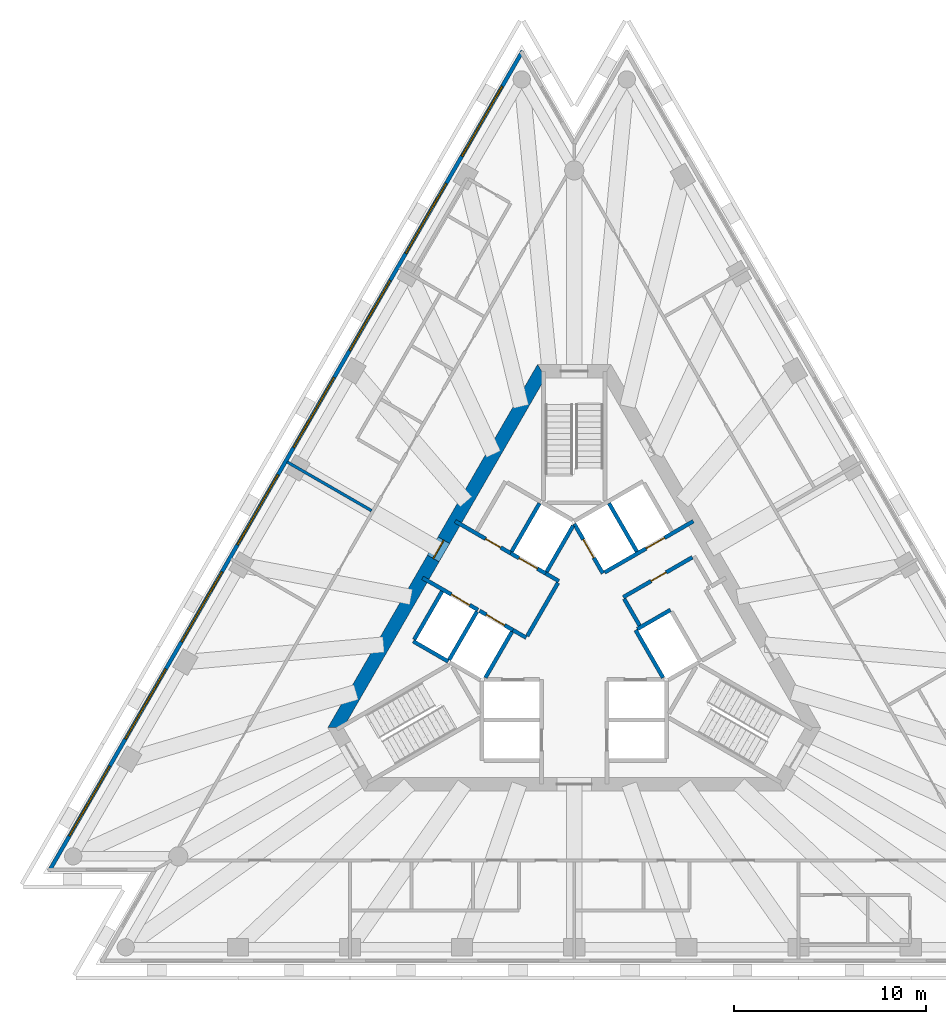
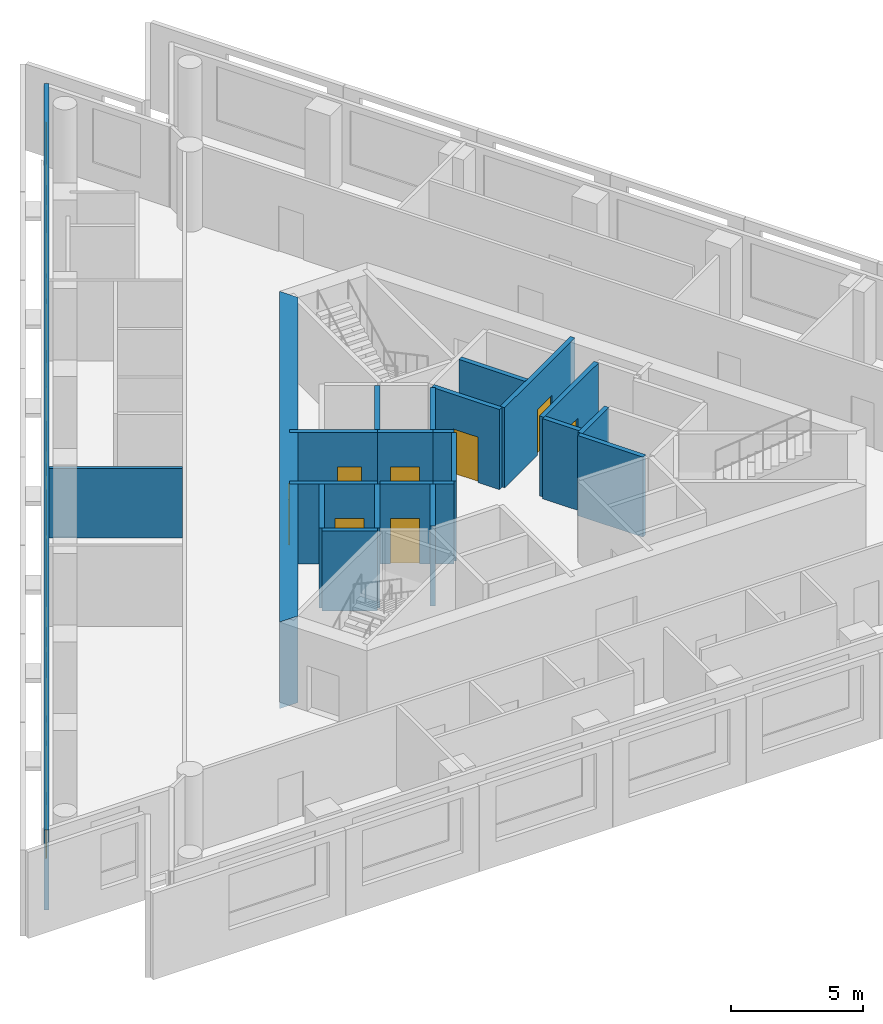
# One storey, part 4 of 10: 23 walls, 8 doors, 8 windows, 16 openings.
"""IFC4 building model written with IfcOpenShell, lengths in metres."""

from ifc_helpers import new_model, si_unit, direction, frame, frame_2d, origin, place, context, subcontext, project, spatial, polyline, rectangle, outline, extrude, material, layer, layer_set, layer_usage, type_object, element, fill, save


model = new_model("IFC4")

# Units and contexts
model_context = context("Model", 3, precision=1e-05, world=origin(), true_north=direction((0.0, 1.0)))
body_context = subcontext(model_context, "Body", "Model", "MODEL_VIEW")
ifc_project = project(units=[si_unit("LENGTHUNIT", "METRE"), si_unit("AREAUNIT", "SQUARE_METRE"), si_unit("VOLUMEUNIT", "CUBIC_METRE"), si_unit("PLANEANGLEUNIT", "RADIAN"), si_unit("MASSUNIT", "GRAM", prefix="KILO")], contexts=[model_context])

# Site, building, storey
site_placement = place(None, origin())
site = spatial("IfcSite", under=ifc_project, at=site_placement, CompositionType="ELEMENT")
building_placement = place(site_placement, origin())
building = spatial("IfcBuilding", under=site, at=building_placement, Name="Triada Interchange Tower", CompositionType="ELEMENT")
storey_placement = place(building_placement, frame((0.0, 0.0, 239.300048828125)))
storey = spatial("IfcBuildingStorey", under=building, at=storey_placement, Name="L56", CompositionType="ELEMENT", Elevation=239.300048828125)

# Walls
ifc_material_1 = material(Name="Concrete C30/37", Category="concrete")
ifc_layer_1 = layer(ifc_material_1, 0.199951171875)
ifc_layer_set_1 = layer_set([ifc_layer_1], Name="CORE WALL 200 EI 120")
wall_type_1 = type_object("IfcWallType", Name="CORE WALL 200 EI 120", PredefinedType="SOLIDWALL", material=ifc_layer_set_1)
wall_1_placement = place(storey_placement, frame((-8.3759765625, -0.70703125, 0.0), z_axis=(0.0, 0.0, 1.0), x_axis=(0.866067520717, -0.499927044236, 0.0)))
element("IfcWall", 1, at=wall_1_placement, inside=storey, type_object=wall_type_1, Name="Wall L56 41", PredefinedType="SOLIDWALL", context=body_context, shape_type="SweptSolid", body=[
    extrude(rectangle(XDim=2.100341796875, YDim=0.199951171875, at=frame_2d((1.05029296875, 0.0))), origin(), (0.0, 0.0, 1.0), 3.699951171875),
])
wall_2_placement = place(storey_placement, frame((-8.325927734375, -0.6201171875, 0.0), z_axis=(0.0, 0.0, 1.0), x_axis=(0.500023687443, 0.866011727401, 0.0)))
element("IfcWall", 2, at=wall_2_placement, inside=storey, type_object=wall_type_1, Name="Wall L56 42", PredefinedType="SOLIDWALL", context=body_context, shape_type="SweptSolid", body=[
    extrude(rectangle(XDim=2.899658203125, YDim=0.199951171875, at=frame_2d((1.44970703125, 0.0))), origin(), (0.0, 0.0, 1.0), 3.699951171875),
])

# Wall, opening, door
wall_3_placement = place(storey_placement, frame((0.0, 5.39990234375, 0.0), z_axis=(0.0, 0.0, 1.0), x_axis=(0.500103862429, -0.865965430478, 0.0)))
wall_3 = element("IfcWall", 3, at=wall_3_placement, inside=storey, type_object=wall_type_1, Name="Wall L56 52", PredefinedType="SOLIDWALL", context=body_context, shape_type="SweptSolid", body=[
    extrude(rectangle(XDim=2.973388671875, YDim=0.199951171875, at=frame_2d((1.48681640625, 0.0))), origin(), (0.0, 0.0, 1.0), 3.699951171875),
])
opening_1_placement = place(wall_3_placement, frame((0.93701171875, 0.0, 0.0)))
opening_1 = element("IfcOpeningElement", 4, at=opening_1_placement, cuts=wall_3, Name="Opening LD-HR5", PredefinedType="OPENING", context=body_context, shape_type="SweptSolid", body=[
    extrude(rectangle(XDim=1.10009765625, YDim=2.10009765625, at=frame_2d((0.550048828125, 1.050048828125))), frame((0.0, 0.10986328125, 0.0), z_axis=(0.0, -1.0, 0.0), x_axis=(1.0, 0.0, 0.0)), (0.0, 0.0, 1.0), 0.219970703125),
])
ifc_material_2 = material(Name="Steel S235 door leaf", Category="steel")
door_type_1 = type_object("IfcDoorType", Name="LIFT LANDING DOOR 1100 EI 120", OperationType="SLIDING_TO_LEFT", PredefinedType="DOOR", material=ifc_material_2)
door_1_placement = place(opening_1_placement, origin())
door_1 = element("IfcDoor", 5, at=door_1_placement, inside=storey, type_object=door_type_1, Name="HR5 landing door L56", OperationType="SLIDING_TO_LEFT", OverallHeight=2.10009765625, OverallWidth=1.10009765625, PredefinedType="DOOR", context=body_context, shape_type="SweptSolid", body=[
    extrude(rectangle(XDim=1.10009765625, YDim=2.10009765625, at=frame_2d((0.550048828125, 1.050048828125))), frame((0.0, 0.02490234375, 0.0), z_axis=(0.0, -1.0, 0.0), x_axis=(1.0, 0.0, 0.0)), (0.0, 0.0, 1.0), 0.050048828125),
])
fill(opening_1, door_1)

# Wall
wall_4_placement = place(storey_placement, frame((3.18994140625, -0.125, 0.0), z_axis=(0.0, 0.0, 1.0), x_axis=(0.499988658015, -0.866031951983, 0.0)))
element("IfcWall", 6, at=wall_4_placement, inside=storey, type_object=wall_type_1, Name="Wall L56 53", PredefinedType="SOLIDWALL", context=body_context, shape_type="SweptSolid", body=[
    extrude(rectangle(XDim=2.85791015625, YDim=0.199951171875, at=frame_2d((1.428955078125, 0.0))), origin(), (0.0, 0.0, 1.0), 3.699951171875),
])

# Wall, opening, door
wall_5_placement = place(storey_placement, frame((1.577880859375, 2.8740234375, 0.0), z_axis=(0.0, 0.0, 1.0), x_axis=(0.866045911672, 0.499964477614, 0.0)))
wall_5 = element("IfcWall", 7, at=wall_5_placement, inside=storey, type_object=wall_type_1, Name="Wall L56 54", PredefinedType="SOLIDWALL", context=body_context, shape_type="SweptSolid", body=[
    extrude(rectangle(XDim=5.32666015625, YDim=0.199951171875, at=frame_2d((2.663330078125, 0.0))), origin(), (0.0, 0.0, 1.0), 3.699951171875),
])
opening_2_placement = place(wall_5_placement, frame((2.49609375, 0.0, 0.0)))
opening_2 = element("IfcOpeningElement", 8, at=opening_2_placement, cuts=wall_5, Name="Opening LD-HR6", PredefinedType="OPENING", context=body_context, shape_type="SweptSolid", body=[
    extrude(rectangle(XDim=1.10009765625, YDim=2.10009765625, at=frame_2d((0.550048828125, 1.050048828125))), frame((0.0, 0.10986328125, 0.0), z_axis=(0.0, -1.0, 0.0), x_axis=(1.0, 0.0, 0.0)), (0.0, 0.0, 1.0), 0.219970703125),
])
door_2_placement = place(opening_2_placement, origin())
door_2 = element("IfcDoor", 9, at=door_2_placement, inside=storey, type_object=door_type_1, Name="HR6 landing door L56", OperationType="SLIDING_TO_LEFT", OverallHeight=2.10009765625, OverallWidth=1.10009765625, PredefinedType="DOOR", context=body_context, shape_type="SweptSolid", body=[
    extrude(rectangle(XDim=1.10009765625, YDim=2.10009765625, at=frame_2d((0.550048828125, 1.050048828125))), frame((0.0, 0.02490234375, 0.0), z_axis=(0.0, -1.0, 0.0), x_axis=(1.0, 0.0, 0.0)), (0.0, 0.0, 1.0), 0.050048828125),
])
fill(opening_2, door_2)

# Walls
wall_6_placement = place(storey_placement, frame((3.278076171875, -0.071044921875, 0.0), z_axis=(0.0, 0.0, 1.0), x_axis=(0.865855657918, 0.500293893279, 0.0)))
element("IfcWall", 10, at=wall_6_placement, inside=storey, type_object=wall_type_1, Name="Wall L56 57", PredefinedType="SOLIDWALL", context=body_context, shape_type="SweptSolid", body=[
    extrude(rectangle(XDim=1.996826171875, YDim=0.199951171875, at=frame_2d((0.99853515625, 0.0))), origin(), (0.0, 0.0, 1.0), 3.699951171875),
])
wall_7_placement = place(storey_placement, frame((1.806884765625, 6.469970703125, 0.0), z_axis=(0.0, 0.0, 1.0), x_axis=(0.50012328804, -0.865954211699, 0.0)))
element("IfcWall", 11, at=wall_7_placement, inside=storey, type_object=wall_type_1, Name="Wall L56 60", PredefinedType="SOLIDWALL", context=body_context, shape_type="SweptSolid", body=[
    extrude(rectangle(XDim=2.899658203125, YDim=0.199951171875, at=frame_2d((1.44970703125, 0.0))), origin(), (0.0, 0.0, 1.0), 3.699951171875),
])

# Wall, opening, door
wall_8_placement = place(storey_placement, frame((2.548095703125, 1.5869140625, 0.0), z_axis=(0.0, 0.0, 1.0), x_axis=(0.866004344652, 0.500036473714, 0.0)))
wall_8 = element("IfcWall", 12, at=wall_8_placement, inside=storey, type_object=wall_type_1, Name="Wall L56 64", PredefinedType="SOLIDWALL", context=body_context, shape_type="SweptSolid", body=[
    extrude(rectangle(XDim=4.150146484375, YDim=0.199951171875, at=frame_2d((2.0751953125, 0.0))), origin(), (0.0, 0.0, 1.0), 3.699951171875),
])
opening_3_placement = place(wall_8_placement, frame((1.675048828125, 0.0, 0.0)))
opening_3 = element("IfcOpeningElement", 13, at=opening_3_placement, cuts=wall_8, Name="Opening D56-46", PredefinedType="OPENING", context=body_context, shape_type="SweptSolid", body=[
    extrude(rectangle(XDim=0.89990234375, YDim=2.10009765625, at=frame_2d((0.449951171875, 1.050048828125))), frame((0.0, 0.10986328125, 0.0), z_axis=(0.0, -1.0, 0.0), x_axis=(1.0, 0.0, 0.0)), (0.0, 0.0, 1.0), 0.219970703125),
])
door_type_2 = type_object("IfcDoorType", Name="SERVICE DOOR 900 EI2 45-C5S200", OperationType="NOTDEFINED", PredefinedType="DOOR", material=ifc_material_2)
door_3_placement = place(opening_3_placement, origin())
door_3 = element("IfcDoor", 14, at=door_3_placement, inside=storey, type_object=door_type_2, Name="Door D56-46 L56", OperationType="SINGLE_SWING_RIGHT", OverallHeight=2.10009765625, OverallWidth=0.89990234375, PredefinedType="DOOR", context=body_context, shape_type="SweptSolid", body=[
    extrude(rectangle(XDim=0.89990234375, YDim=2.10009765625, at=frame_2d((0.449951171875, 1.050048828125))), frame((0.0, 0.02490234375, 0.0), z_axis=(0.0, -1.0, 0.0), x_axis=(1.0, 0.0, 0.0)), (0.0, 0.0, 1.0), 0.050048828125),
])
fill(opening_3, door_3)

# Wall
wall_9_placement = place(storey_placement, frame((2.597900390625, 1.5, 0.0), z_axis=(0.0, 0.0, 1.0), x_axis=(0.499929347863, -0.866066190972, 0.0)))
element("IfcWall", 15, at=wall_9_placement, inside=storey, type_object=wall_type_1, Name="Wall L56 65", PredefinedType="SOLIDWALL", context=body_context, shape_type="SweptSolid", body=[
    extrude(rectangle(XDim=1.600341796875, YDim=0.199951171875, at=frame_2d((0.80029296875, 0.0))), origin(), (0.0, 0.0, 1.0), 3.699951171875),
])

# Wall, opening, door
ifc_layer_2 = layer(ifc_material_1, 0.199951171875)
ifc_layer_set_2 = layer_set([ifc_layer_2], Name="CORE WALL 200 EI 180")
wall_type_2 = type_object("IfcWallType", Name="CORE WALL 200 EI 180", PredefinedType="SOLIDWALL", material=ifc_layer_set_2)
wall_10_placement = place(storey_placement, frame((-7.89111328125, 2.593017578125, 0.0), z_axis=(0.0, 0.0, 1.0), x_axis=(0.866070917804, -0.499921159118, 0.0)))
wall_10 = element("IfcWall", 16, at=wall_10_placement, inside=storey, type_object=wall_type_2, Name="Wall L56 66", PredefinedType="SOLIDWALL", context=body_context, shape_type="SweptSolid", body=[
    extrude(rectangle(XDim=3.33251953125, YDim=0.199951171875, at=frame_2d((1.666259765625, 0.0))), origin(), (0.0, 0.0, 1.0), 3.699951171875),
])
opening_4_placement = place(wall_10_placement, frame((1.72998046875, 0.0, 0.0)))
opening_4 = element("IfcOpeningElement", 17, at=opening_4_placement, cuts=wall_10, Name="Opening LD-SV1", PredefinedType="OPENING", context=body_context, shape_type="SweptSolid", body=[
    extrude(rectangle(XDim=1.10009765625, YDim=2.10009765625, at=frame_2d((0.550048828125, 1.050048828125))), frame((0.0, 0.10986328125, 0.0), z_axis=(0.0, -1.0, 0.0), x_axis=(1.0, 0.0, 0.0)), (0.0, 0.0, 1.0), 0.219970703125),
])
door_4_placement = place(opening_4_placement, origin())
door_4 = element("IfcDoor", 18, at=door_4_placement, inside=storey, type_object=door_type_1, Name="SV1 landing door L56", OperationType="SLIDING_TO_LEFT", OverallHeight=2.10009765625, OverallWidth=1.10009765625, PredefinedType="DOOR", context=body_context, shape_type="SweptSolid", body=[
    extrude(rectangle(XDim=1.10009765625, YDim=2.10009765625, at=frame_2d((0.550048828125, 1.050048828125))), frame((0.0, 0.02490234375, 0.0), z_axis=(0.0, -1.0, 0.0), x_axis=(1.0, 0.0, 0.0)), (0.0, 0.0, 1.0), 0.050048828125),
])
fill(opening_4, door_4)

# Wall
wall_11_placement = place(storey_placement, frame((-3.18798828125, -0.1220703125, 0.0), z_axis=(0.0, 0.0, 1.0), x_axis=(0.865705793592, -0.50055317294, 0.0)))
element("IfcWall", 19, at=wall_11_placement, inside=storey, type_object=wall_type_2, Name="Wall L56 67", PredefinedType="SOLIDWALL", context=body_context, shape_type="SweptSolid", body=[
    extrude(rectangle(XDim=0.796875, YDim=0.199951171875, at=frame_2d((0.3984375, 0.0))), origin(), (0.0, 0.0, 1.0), 3.699951171875),
])

# Wall, opening, door
wall_12_placement = place(storey_placement, frame((-6.19091796875, 5.537109375, 0.0), z_axis=(0.0, 0.0, 1.0), x_axis=(0.866052607023, -0.499952879648, 0.0)))
wall_12 = element("IfcWall", 20, at=wall_12_placement, inside=storey, type_object=wall_type_2, Name="Wall L56 68", PredefinedType="SOLIDWALL", context=body_context, shape_type="SweptSolid", body=[
    extrude(rectangle(XDim=3.332275390625, YDim=0.199951171875, at=frame_2d((1.666015625, 0.0))), origin(), (0.0, 0.0, 1.0), 3.699951171875),
])
opening_5_placement = place(wall_12_placement, frame((1.830078125, 0.0, 0.0)))
opening_5 = element("IfcOpeningElement", 21, at=opening_5_placement, cuts=wall_12, Name="Opening D56-10", PredefinedType="OPENING", context=body_context, shape_type="SweptSolid", body=[
    extrude(rectangle(XDim=0.89990234375, YDim=2.10009765625, at=frame_2d((0.449951171875, 1.050048828125))), frame((0.0, 0.10986328125, 0.0), z_axis=(0.0, -1.0, 0.0), x_axis=(1.0, 0.0, 0.0)), (0.0, 0.0, 1.0), 0.219970703125),
])
door_type_3 = type_object("IfcDoorType", Name="SERVICE DOOR 900 EI2 90-C5S200", OperationType="NOTDEFINED", PredefinedType="DOOR", material=ifc_material_2)
door_5_placement = place(opening_5_placement, origin())
door_5 = element("IfcDoor", 22, at=door_5_placement, inside=storey, type_object=door_type_3, Name="Door D56-10 L56", OperationType="SINGLE_SWING_LEFT", OverallHeight=2.10009765625, OverallWidth=0.89990234375, PredefinedType="DOOR", context=body_context, shape_type="SweptSolid", body=[
    extrude(rectangle(XDim=0.89990234375, YDim=2.10009765625, at=frame_2d((0.449951171875, 1.050048828125))), frame((0.0, 0.02490234375, 0.0), z_axis=(0.0, -1.0, 0.0), x_axis=(1.0, 0.0, 0.0)), (0.0, 0.0, 1.0), 0.050048828125),
])
fill(opening_5, door_5)

# Walls
wall_13_placement = place(storey_placement, frame((-1.488037109375, 2.822021484375, 0.0), z_axis=(0.0, 0.0, 1.0), x_axis=(0.866236612152, -0.499633997809, 0.0)))
element("IfcWall", 23, at=wall_13_placement, inside=storey, type_object=wall_type_2, Name="Wall L56 69", PredefinedType="SOLIDWALL", context=body_context, shape_type="SweptSolid", body=[
    extrude(rectangle(XDim=0.79638671875, YDim=0.199951171875, at=frame_2d((0.398193359375, 0.0))), origin(), (0.0, 0.0, 1.0), 3.699951171875),
])
wall_14_placement = place(storey_placement, frame((-2.444091796875, -0.43310546875, 0.0), z_axis=(0.0, 0.0, 1.0), x_axis=(0.500035624827, 0.866004834804, 0.0)))
element("IfcWall", 24, at=wall_14_placement, inside=storey, type_object=wall_type_2, Name="Wall L56 72", PredefinedType="SOLIDWALL", context=body_context, shape_type="SweptSolid", body=[
    extrude(rectangle(XDim=3.194091796875, YDim=0.199951171875, at=frame_2d((1.59716796875, 0.0))), origin(), (0.0, 0.0, 1.0), 3.699951171875),
])
wall_15_placement = place(storey_placement, frame((-6.507080078125, -1.669921875, 0.0), z_axis=(0.0, 0.0, 1.0), x_axis=(0.50012328804, 0.865954211699, 0.0)))
element("IfcWall", 25, at=wall_15_placement, inside=storey, type_object=wall_type_2, Name="Shaft wall FF1 L56 73", PredefinedType="SOLIDWALL", context=body_context, shape_type="SweptSolid", body=[
    extrude(rectangle(XDim=2.899658203125, YDim=0.199951171875, at=frame_2d((1.44970703125, 0.0))), origin(), (0.0, 0.0, 1.0), 3.699951171875),
])

# Wall, opening, door
wall_16_placement = place(storey_placement, frame((-4.922119140625, 0.87890625, 0.0), z_axis=(0.0, 0.0, 1.0), x_axis=(0.866073918653, -0.499915960366, 0.0)))
wall_16 = element("IfcWall", 26, at=wall_16_placement, inside=storey, type_object=wall_type_2, Name="Shaft wall FF1 L56 75", PredefinedType="SOLIDWALL", context=body_context, shape_type="SweptSolid", body=[
    extrude(rectangle(XDim=2.002197265625, YDim=0.199951171875, at=frame_2d((1.0009765625, 0.0))), origin(), (0.0, 0.0, 1.0), 3.699951171875),
])
opening_6_placement = place(wall_16_placement, frame((0.402099609375, 0.0, 0.0)))
opening_6 = element("IfcOpeningElement", 27, at=opening_6_placement, cuts=wall_16, Name="Opening LD-FF1", PredefinedType="OPENING", context=body_context, shape_type="SweptSolid", body=[
    extrude(rectangle(XDim=1.10009765625, YDim=2.10009765625, at=frame_2d((0.550048828125, 1.050048828125))), frame((0.0, 0.10986328125, 0.0), z_axis=(0.0, -1.0, 0.0), x_axis=(1.0, 0.0, 0.0)), (0.0, 0.0, 1.0), 0.219970703125),
])
door_6_placement = place(opening_6_placement, origin())
door_6 = element("IfcDoor", 28, at=door_6_placement, inside=storey, type_object=door_type_1, Name="FF1 landing door L56", OperationType="SLIDING_TO_LEFT", OverallHeight=2.10009765625, OverallWidth=1.10009765625, PredefinedType="DOOR", context=body_context, shape_type="SweptSolid", body=[
    extrude(rectangle(XDim=1.10009765625, YDim=2.10009765625, at=frame_2d((0.550048828125, 1.050048828125))), frame((0.0, 0.02490234375, 0.0), z_axis=(0.0, -1.0, 0.0), x_axis=(1.0, 0.0, 0.0)), (0.0, 0.0, 1.0), 0.050048828125),
])
fill(opening_6, door_6)

# Wall
wall_17_placement = place(storey_placement, frame((-4.618896484375, -2.60009765625, 0.0), z_axis=(0.0, 0.0, 1.0), x_axis=(0.50009492287, 0.865970593103, 0.0)))
element("IfcWall", 29, at=wall_17_placement, inside=storey, type_object=wall_type_2, Name="Shaft wall FF1 L56 76", PredefinedType="SOLIDWALL", context=body_context, shape_type="SweptSolid", body=[
    extrude(rectangle(XDim=2.76123046875, YDim=0.199951171875, at=frame_2d((1.380615234375, 0.0))), origin(), (0.0, 0.0, 1.0), 3.699951171875),
])

# Wall, opening, door
wall_18_placement = place(storey_placement, frame((-3.30908203125, 3.873046875, 0.0), z_axis=(0.0, 0.0, 1.0), x_axis=(0.866098583652, -0.499873227325, 0.0)))
wall_18 = element("IfcWall", 30, at=wall_18_placement, inside=storey, type_object=wall_type_2, Name="Shaft wall FF2 L56 77", PredefinedType="SOLIDWALL", context=body_context, shape_type="SweptSolid", body=[
    extrude(rectangle(XDim=2.1025390625, YDim=0.199951171875, at=frame_2d((1.05126953125, 0.0))), origin(), (0.0, 0.0, 1.0), 3.699951171875),
])
opening_7_placement = place(wall_18_placement, frame((0.501953125, 0.0, 0.0)))
opening_7 = element("IfcOpeningElement", 31, at=opening_7_placement, cuts=wall_18, Name="Opening LD-FF2", PredefinedType="OPENING", context=body_context, shape_type="SweptSolid", body=[
    extrude(rectangle(XDim=1.10009765625, YDim=2.10009765625, at=frame_2d((0.550048828125, 1.050048828125))), frame((0.0, 0.10986328125, 0.0), z_axis=(0.0, -1.0, 0.0), x_axis=(1.0, 0.0, 0.0)), (0.0, 0.0, 1.0), 0.219970703125),
])
door_7_placement = place(opening_7_placement, origin())
door_7 = element("IfcDoor", 32, at=door_7_placement, inside=storey, type_object=door_type_1, Name="FF2 landing door L56", OperationType="SLIDING_TO_LEFT", OverallHeight=2.10009765625, OverallWidth=1.10009765625, PredefinedType="DOOR", context=body_context, shape_type="SweptSolid", body=[
    extrude(rectangle(XDim=1.10009765625, YDim=2.10009765625, at=frame_2d((0.550048828125, 1.050048828125))), frame((0.0, 0.02490234375, 0.0), z_axis=(0.0, -1.0, 0.0), x_axis=(1.0, 0.0, 0.0)), (0.0, 0.0, 1.0), 0.050048828125),
])
fill(opening_7, door_7)

# Walls
wall_19_placement = place(storey_placement, frame((-3.257080078125, 3.958984375, 0.0), z_axis=(0.0, 0.0, 1.0), x_axis=(0.50012328804, 0.865954211699, 0.0)))
element("IfcWall", 33, at=wall_19_placement, inside=storey, type_object=wall_type_2, Name="Shaft wall FF2 L56 78", PredefinedType="SOLIDWALL", context=body_context, shape_type="SweptSolid", body=[
    extrude(rectangle(XDim=2.899658203125, YDim=0.199951171875, at=frame_2d((1.44970703125, 0.0))), origin(), (0.0, 0.0, 1.0), 3.699951171875),
])
wall_20_placement = place(storey_placement, frame((-1.43798828125, 2.908935546875, 0.0), z_axis=(0.0, 0.0, 1.0), x_axis=(0.499829630636, 0.866123744241, 0.0)))
element("IfcWall", 34, at=wall_20_placement, inside=storey, type_object=wall_type_2, Name="Shaft wall FF2 L56 80", PredefinedType="SOLIDWALL", context=body_context, shape_type="SweptSolid", body=[
    extrude(rectangle(XDim=2.7607421875, YDim=0.199951171875, at=frame_2d((1.38037109375, 0.0))), origin(), (0.0, 0.0, 1.0), 3.699951171875),
])

# Wall, opening, door
ifc_material_3 = material(Name="Concrete C50/60", Category="concrete")
ifc_layer_3 = layer(ifc_material_3, 0.699951171875)
ifc_layer_set_3 = layer_set([ifc_layer_3], Name="Core wall C 700")
wall_type_3 = type_object("IfcWallType", Name="Core wall C 700", PredefinedType="SHEAR", material=ifc_layer_set_3)
wall_21_placement = place(storey_placement, frame((-1.702880859375, 13.35009765625, -0.300048828125), z_axis=(0.0, 0.0, 1.0), x_axis=(-0.500011533395, -0.866018744874, 0.0)))
wall_21 = element("IfcWall", 35, at=wall_21_placement, inside=storey, type_object=wall_type_3, Name="Core wall WC02 L56", PredefinedType="SHEAR", context=body_context, shape_type="SweptSolid", body=[
    extrude(outline(polyline([(-0.201904296875, -0.35009765625), (1.781982421875, -0.35009765625), (3.76611328125, -0.35009765625), (5.75, -0.35009765625), (7.734130859375, -0.35009765625), (9.718017578125, -0.35009765625), (11.7021484375, -0.35009765625), (13.68603515625, -0.35009765625), (15.670166015625, -0.35009765625), (17.654052734375, -0.35009765625), (19.63818359375, -0.35009765625), (21.6220703125, -0.35009765625), (21.218017578125, 0.35009765625), (19.307373046875, 0.35009765625), (17.39697265625, 0.35009765625), (15.486328125, 0.35009765625), (13.57568359375, 0.35009765625), (11.665283203125, 0.35009765625), (9.754638671875, 0.35009765625), (7.84423828125, 0.35009765625), (5.93359375, 0.35009765625), (4.02294921875, 0.35009765625), (2.112548828125, 0.35009765625), (0.201904296875, 0.35009765625), (-0.201904296875, -0.35009765625)])), origin(), (0.0, 0.0, 1.0), 4.0),
])
opening_8_placement = place(wall_21_placement, frame((10.159912109375, 0.0, 0.300048828125)))
opening_8 = element("IfcOpeningElement", 36, at=opening_8_placement, cuts=wall_21, Name="Opening D56-43", PredefinedType="OPENING", context=body_context, shape_type="SweptSolid", body=[
    extrude(rectangle(XDim=1.10009765625, YDim=2.10009765625, at=frame_2d((0.550048828125, 1.050048828125))), frame((0.0, 0.360107421875, 0.0), z_axis=(0.0, -1.0, 0.0), x_axis=(1.0, 0.0, 0.0)), (0.0, 0.0, 1.0), 0.72021484375),
])
door_type_4 = type_object("IfcDoorType", Name="FIRE LOBBY DOOR 1100 EI2 90-C5S200", OperationType="NOTDEFINED", PredefinedType="DOOR", material=ifc_material_2)
door_8_placement = place(opening_8_placement, origin())
door_8 = element("IfcDoor", 37, at=door_8_placement, inside=storey, type_object=door_type_4, Name="Door D56-43 L56", OperationType="SINGLE_SWING_RIGHT", OverallHeight=2.10009765625, OverallWidth=1.10009765625, PredefinedType="DOOR", context=body_context, shape_type="SweptSolid", body=[
    extrude(rectangle(XDim=1.10009765625, YDim=2.10009765625, at=frame_2d((0.550048828125, 1.050048828125))), frame((0.0, 0.02490234375, 0.0), z_axis=(0.0, -1.0, 0.0), x_axis=(1.0, 0.0, 0.0)), (0.0, 0.0, 1.0), 0.050048828125),
])
fill(opening_8, door_8)

# Wall, openings, windows
ifc_material_4 = material(Name="Cement board")
ifc_layer_4 = layer(ifc_material_4, 0.02001953125, Name="Cement board cladding")
ifc_material_5 = material(Name="Sheathing board")
ifc_layer_5 = layer(ifc_material_5, 0.014892578125, Name="Sheathing board")
ifc_material_6 = material(Name="Mineral wool")
ifc_layer_6 = layer(ifc_material_6, 0.14990234375, Name="Mineral wool between steel studs")
ifc_material_7 = material(Name="Gypsum board")
ifc_layer_7 = layer(ifc_material_7, 0.014892578125, Name="Plasterboard lining")
ifc_layer_set_4 = layer_set([ifc_layer_4, ifc_layer_5, ifc_layer_6, ifc_layer_7], Name="External wall 200")
ifc_layer_usage = layer_usage(ifc_layer_set_4, "AXIS2", "POSITIVE", -0.10009765625)
wall_type_4 = type_object("IfcWallType", Name="External wall 200", PredefinedType="ELEMENTEDWALL", material=ifc_layer_set_4)
wall_22_placement = place(storey_placement, frame((-2.68701171875, 29.9951171875, 0.0), z_axis=(0.0, 0.0, 1.0), x_axis=(-0.499992950893, -0.86602947355, 0.0)))
wall_22 = element("IfcWall", 38, at=wall_22_placement, inside=storey, type_object=wall_type_4, material=ifc_layer_usage, Name="External wall L56 NW", PredefinedType="ELEMENTEDWALL", context=body_context, shape_type="SweptSolid", body=[
    extrude(rectangle(XDim=49.246826171875, YDim=0.199951171875, at=frame_2d((24.62353515625, 0.0))), origin(), (0.0, 0.0, 1.0), 3.699951171875),
])
opening_9_placement = place(wall_22_placement, frame((2.118896484375, 0.0, 0.89990234375)))
opening_9 = element("IfcOpeningElement", 39, at=opening_9_placement, cuts=wall_22, Name="Opening WC01", PredefinedType="OPENING", context=body_context, shape_type="SweptSolid", body=[
    extrude(rectangle(XDim=4.199951171875, YDim=2.5, at=frame_2d((2.10009765625, 1.25))), frame((0.0, 0.10986328125, 0.0), z_axis=(0.0, -1.0, 0.0), x_axis=(1.0, 0.0, 0.0)), (0.0, 0.0, 1.0), 0.219970703125),
])
opening_10_placement = place(wall_22_placement, frame((7.950927734375, 0.0, 0.89990234375)))
opening_10 = element("IfcOpeningElement", 40, at=opening_10_placement, cuts=wall_22, Name="Opening WC02", PredefinedType="OPENING", context=body_context, shape_type="SweptSolid", body=[
    extrude(rectangle(XDim=4.199951171875, YDim=2.5, at=frame_2d((2.10009765625, 1.25))), frame((0.0, 0.10986328125, 0.0), z_axis=(0.0, -1.0, 0.0), x_axis=(1.0, 0.0, 0.0)), (0.0, 0.0, 1.0), 0.219970703125),
])
opening_11_placement = place(wall_22_placement, frame((13.783935546875, 0.0, 0.89990234375)))
opening_11 = element("IfcOpeningElement", 41, at=opening_11_placement, cuts=wall_22, Name="Opening WC03", PredefinedType="OPENING", context=body_context, shape_type="SweptSolid", body=[
    extrude(rectangle(XDim=4.199951171875, YDim=2.5, at=frame_2d((2.10009765625, 1.25))), frame((0.0, 0.10986328125, 0.0), z_axis=(0.0, -1.0, 0.0), x_axis=(1.0, 0.0, 0.0)), (0.0, 0.0, 1.0), 0.219970703125),
])
opening_12_placement = place(wall_22_placement, frame((19.616943359375, 0.0, 0.89990234375)))
opening_12 = element("IfcOpeningElement", 42, at=opening_12_placement, cuts=wall_22, Name="Opening WC04", PredefinedType="OPENING", context=body_context, shape_type="SweptSolid", body=[
    extrude(rectangle(XDim=4.199951171875, YDim=2.5, at=frame_2d((2.10009765625, 1.25))), frame((0.0, 0.10986328125, 0.0), z_axis=(0.0, -1.0, 0.0), x_axis=(1.0, 0.0, 0.0)), (0.0, 0.0, 1.0), 0.219970703125),
])
opening_13_placement = place(wall_22_placement, frame((25.448974609375, 0.0, 0.89990234375)))
opening_13 = element("IfcOpeningElement", 43, at=opening_13_placement, cuts=wall_22, Name="Opening WC05", PredefinedType="OPENING", context=body_context, shape_type="SweptSolid", body=[
    extrude(rectangle(XDim=4.199951171875, YDim=2.5, at=frame_2d((2.10009765625, 1.25))), frame((0.0, 0.10986328125, 0.0), z_axis=(0.0, -1.0, 0.0), x_axis=(1.0, 0.0, 0.0)), (0.0, 0.0, 1.0), 0.219970703125),
])
opening_14_placement = place(wall_22_placement, frame((31.281982421875, 0.0, 0.89990234375)))
opening_14 = element("IfcOpeningElement", 44, at=opening_14_placement, cuts=wall_22, Name="Opening WC06", PredefinedType="OPENING", context=body_context, shape_type="SweptSolid", body=[
    extrude(rectangle(XDim=4.199951171875, YDim=2.5, at=frame_2d((2.10009765625, 1.25))), frame((0.0, 0.10986328125, 0.0), z_axis=(0.0, -1.0, 0.0), x_axis=(1.0, 0.0, 0.0)), (0.0, 0.0, 1.0), 0.219970703125),
])
opening_15_placement = place(wall_22_placement, frame((37.114990234375, 0.0, 0.89990234375)))
opening_15 = element("IfcOpeningElement", 45, at=opening_15_placement, cuts=wall_22, Name="Opening WC07", PredefinedType="OPENING", context=body_context, shape_type="SweptSolid", body=[
    extrude(rectangle(XDim=4.199951171875, YDim=2.5, at=frame_2d((2.10009765625, 1.25))), frame((0.0, 0.10986328125, 0.0), z_axis=(0.0, -1.0, 0.0), x_axis=(1.0, 0.0, 0.0)), (0.0, 0.0, 1.0), 0.219970703125),
])
opening_16_placement = place(wall_22_placement, frame((42.947021484375, 0.0, 0.89990234375)))
opening_16 = element("IfcOpeningElement", 46, at=opening_16_placement, cuts=wall_22, Name="Opening WC08", PredefinedType="OPENING", context=body_context, shape_type="SweptSolid", body=[
    extrude(rectangle(XDim=4.199951171875, YDim=2.5, at=frame_2d((2.10009765625, 1.25))), frame((0.0, 0.10986328125, 0.0), z_axis=(0.0, -1.0, 0.0), x_axis=(1.0, 0.0, 0.0)), (0.0, 0.0, 1.0), 0.219970703125),
])
ifc_material_8 = material(Name="Double glazed aluminium window", Category="aluminium")
window_type = type_object("IfcWindowType", Name="Ribbon window C face", PartitioningType="SINGLE_PANEL", PredefinedType="WINDOW", material=ifc_material_8)
window_1_placement = place(opening_9_placement, origin())
window_1 = element("IfcWindow", 47, at=window_1_placement, inside=storey, type_object=window_type, Name="Window L56 NW 1", OverallHeight=2.5, OverallWidth=4.199951171875, PartitioningType="SINGLE_PANEL", PredefinedType="WINDOW", context=body_context, shape_type="SweptSolid", body=[
    extrude(rectangle(XDim=4.199951171875, YDim=2.5, at=frame_2d((2.10009765625, 1.25))), frame((0.0, 0.030029296875, 0.0), z_axis=(0.0, -1.0, 0.0), x_axis=(1.0, 0.0, 0.0)), (0.0, 0.0, 1.0), 0.06005859375),
])
fill(opening_9, window_1)
window_2_placement = place(opening_10_placement, origin())
window_2 = element("IfcWindow", 48, at=window_2_placement, inside=storey, type_object=window_type, Name="Window L56 NW 2", OverallHeight=2.5, OverallWidth=4.199951171875, PartitioningType="SINGLE_PANEL", PredefinedType="WINDOW", context=body_context, shape_type="SweptSolid", body=[
    extrude(rectangle(XDim=4.199951171875, YDim=2.5, at=frame_2d((2.10009765625, 1.25))), frame((0.0, 0.030029296875, 0.0), z_axis=(0.0, -1.0, 0.0), x_axis=(1.0, 0.0, 0.0)), (0.0, 0.0, 1.0), 0.06005859375),
])
fill(opening_10, window_2)
window_3_placement = place(opening_11_placement, origin())
window_3 = element("IfcWindow", 49, at=window_3_placement, inside=storey, type_object=window_type, Name="Window L56 NW 3", OverallHeight=2.5, OverallWidth=4.199951171875, PartitioningType="SINGLE_PANEL", PredefinedType="WINDOW", context=body_context, shape_type="SweptSolid", body=[
    extrude(rectangle(XDim=4.199951171875, YDim=2.5, at=frame_2d((2.10009765625, 1.25))), frame((0.0, 0.030029296875, 0.0), z_axis=(0.0, -1.0, 0.0), x_axis=(1.0, 0.0, 0.0)), (0.0, 0.0, 1.0), 0.06005859375),
])
fill(opening_11, window_3)
window_4_placement = place(opening_12_placement, origin())
window_4 = element("IfcWindow", 50, at=window_4_placement, inside=storey, type_object=window_type, Name="Window L56 NW 4", OverallHeight=2.5, OverallWidth=4.199951171875, PartitioningType="SINGLE_PANEL", PredefinedType="WINDOW", context=body_context, shape_type="SweptSolid", body=[
    extrude(rectangle(XDim=4.199951171875, YDim=2.5, at=frame_2d((2.10009765625, 1.25))), frame((0.0, 0.030029296875, 0.0), z_axis=(0.0, -1.0, 0.0), x_axis=(1.0, 0.0, 0.0)), (0.0, 0.0, 1.0), 0.06005859375),
])
fill(opening_12, window_4)
window_5_placement = place(opening_13_placement, origin())
window_5 = element("IfcWindow", 51, at=window_5_placement, inside=storey, type_object=window_type, Name="Window L56 NW 5", OverallHeight=2.5, OverallWidth=4.199951171875, PartitioningType="SINGLE_PANEL", PredefinedType="WINDOW", context=body_context, shape_type="SweptSolid", body=[
    extrude(rectangle(XDim=4.199951171875, YDim=2.5, at=frame_2d((2.10009765625, 1.25))), frame((0.0, 0.030029296875, 0.0), z_axis=(0.0, -1.0, 0.0), x_axis=(1.0, 0.0, 0.0)), (0.0, 0.0, 1.0), 0.06005859375),
])
fill(opening_13, window_5)
window_6_placement = place(opening_14_placement, origin())
window_6 = element("IfcWindow", 52, at=window_6_placement, inside=storey, type_object=window_type, Name="Window L56 NW 6", OverallHeight=2.5, OverallWidth=4.199951171875, PartitioningType="SINGLE_PANEL", PredefinedType="WINDOW", context=body_context, shape_type="SweptSolid", body=[
    extrude(rectangle(XDim=4.199951171875, YDim=2.5, at=frame_2d((2.10009765625, 1.25))), frame((0.0, 0.030029296875, 0.0), z_axis=(0.0, -1.0, 0.0), x_axis=(1.0, 0.0, 0.0)), (0.0, 0.0, 1.0), 0.06005859375),
])
fill(opening_14, window_6)
window_7_placement = place(opening_15_placement, origin())
window_7 = element("IfcWindow", 53, at=window_7_placement, inside=storey, type_object=window_type, Name="Window L56 NW 7", OverallHeight=2.5, OverallWidth=4.199951171875, PartitioningType="SINGLE_PANEL", PredefinedType="WINDOW", context=body_context, shape_type="SweptSolid", body=[
    extrude(rectangle(XDim=4.199951171875, YDim=2.5, at=frame_2d((2.10009765625, 1.25))), frame((0.0, 0.030029296875, 0.0), z_axis=(0.0, -1.0, 0.0), x_axis=(1.0, 0.0, 0.0)), (0.0, 0.0, 1.0), 0.06005859375),
])
fill(opening_15, window_7)
window_8_placement = place(opening_16_placement, origin())
window_8 = element("IfcWindow", 54, at=window_8_placement, inside=storey, type_object=window_type, Name="Window L56 NW 8", OverallHeight=2.5, OverallWidth=4.199951171875, PartitioningType="SINGLE_PANEL", PredefinedType="WINDOW", context=body_context, shape_type="SweptSolid", body=[
    extrude(rectangle(XDim=4.199951171875, YDim=2.5, at=frame_2d((2.10009765625, 1.25))), frame((0.0, 0.030029296875, 0.0), z_axis=(0.0, -1.0, 0.0), x_axis=(1.0, 0.0, 0.0)), (0.0, 0.0, 1.0), 0.06005859375),
])
fill(opening_16, window_8)

# Wall
ifc_material_9 = material(Name="Gypsum board partition")
ifc_layer_8 = layer(ifc_material_9, 0.14990234375)
ifc_layer_set_5 = layer_set([ifc_layer_8], Name="PARTITION 150 EI 180")
wall_type_5 = type_object("IfcWallType", Name="PARTITION 150 EI 180", PredefinedType="PARTITIONING", material=ifc_layer_set_5)
wall_23_placement = place(storey_placement, frame((-14.93408203125, 8.6220703125, 0.0), z_axis=(0.0, 0.0, 1.0), x_axis=(0.86598187042, -0.500075394419, 0.0)))
element("IfcWall", 55, at=wall_23_placement, inside=storey, type_object=wall_type_5, Name="Wall L56 6", PredefinedType="PARTITIONING", context=body_context, shape_type="SweptSolid", body=[
    extrude(rectangle(XDim=5.069580078125, YDim=0.14990234375, at=frame_2d((2.53466796875, 0.0))), origin(), (0.0, 0.0, 1.0), 3.199951171875),
])

save(model, "model.ifc")
